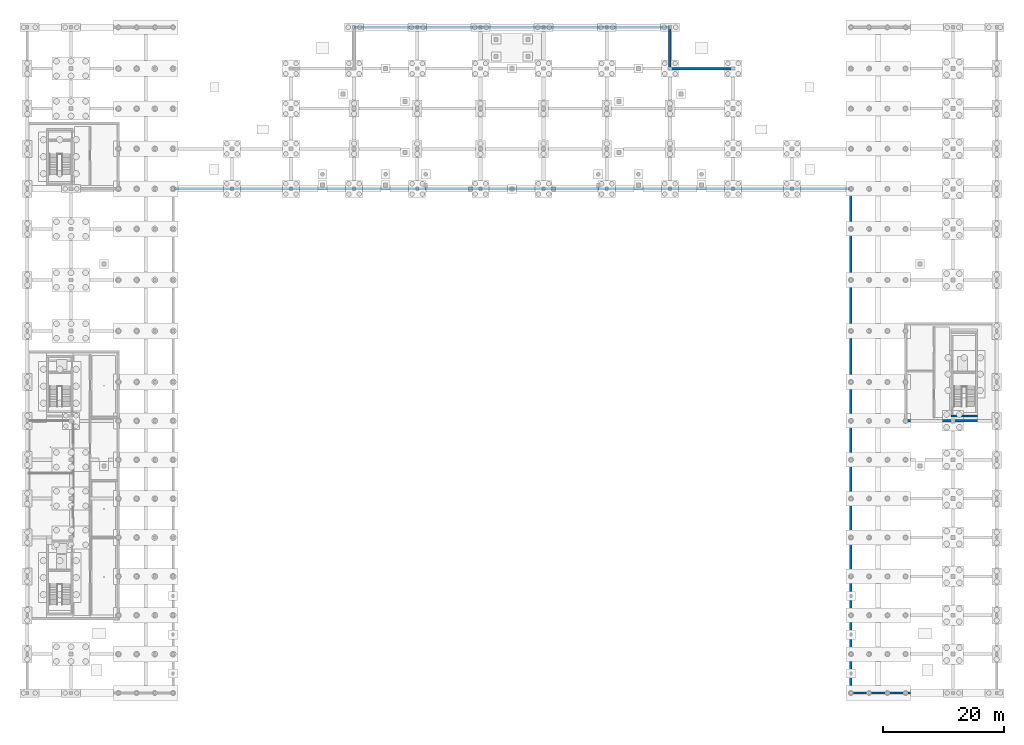
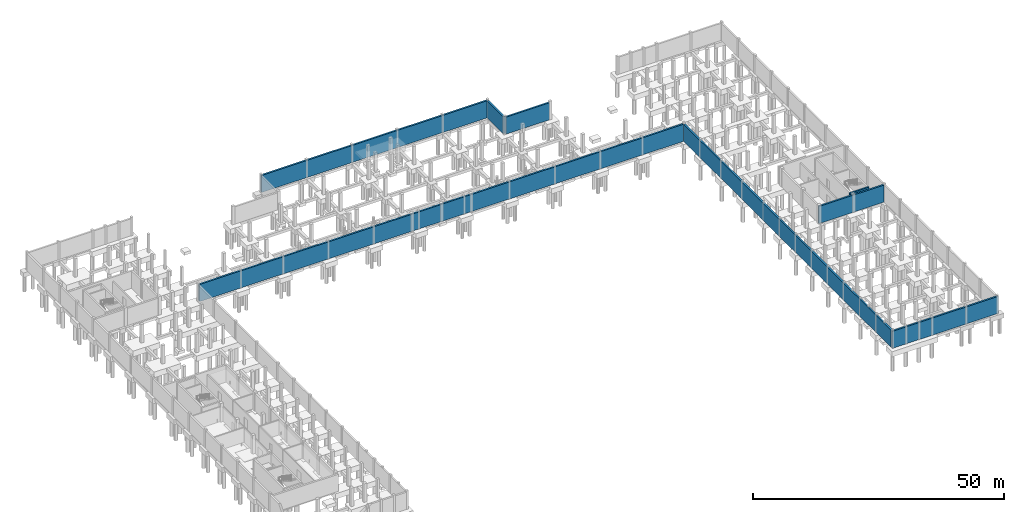
# One storey, part 15 of 21: 8 walls.
"""IFC4 building model written with IfcOpenShell, lengths in metres."""

from ifc_helpers import new_model, si_unit, derived_unit, direction, frame, frame_2d, origin, place, context, subcontext, project, spatial, rectangle, extrude, material, layer, layer_set, type_object, element, save


model = new_model("IFC4")

# Units and contexts
model_context = context("Model", 3, precision=1e-05, world=origin(), true_north=direction((0.0, 1.0)))
body_context = subcontext(model_context, "Body", "Model", "MODEL_VIEW")
ifc_project = project(units=[si_unit("LENGTHUNIT", "METRE"), si_unit("AREAUNIT", "SQUARE_METRE"), si_unit("VOLUMEUNIT", "CUBIC_METRE"), si_unit("PLANEANGLEUNIT", "RADIAN"), si_unit("MASSUNIT", "GRAM", prefix="KILO"), derived_unit("THERMALTRANSMITTANCEUNIT", [(si_unit("POWERUNIT", "WATT"), 1), (si_unit("LENGTHUNIT", "METRE"), -2), (si_unit("THERMODYNAMICTEMPERATUREUNIT", "KELVIN"), -1)])], contexts=[model_context])

# Site, building, storey
site_placement = place(None, origin())
site = spatial("IfcSite", under=ifc_project, at=site_placement, CompositionType="ELEMENT")
building_placement = place(site_placement, origin())
building = spatial("IfcBuilding", under=site, at=building_placement, Name="Braskholm Square Health Centre", CompositionType="ELEMENT")
storey_placement = place(building_placement, frame((0.0, 0.0, -4.5)))
storey = spatial("IfcBuildingStorey", under=building, at=storey_placement, Name="B01", CompositionType="ELEMENT", Elevation=-4.5)

# Walls
ifc_material_1 = material(Name="Concrete C35/45 (f'c = 35 MPa)", Category="concrete")
ifc_layer_1 = layer(ifc_material_1, 0.39990234375)
ifc_layer_set_1 = layer_set([ifc_layer_1], Name="Concrete C35/45 (f'c = 35 MPa)")
wall_type_1 = type_object("IfcWallType", Name="BasementRetainingWall400", PredefinedType="SHEAR", material=ifc_layer_set_1)
wall_1_placement = place(storey_placement, frame((28.39990234375, 87.199951171875, 0.0), z_axis=(0.0, 0.0, 1.0), x_axis=(1.0, 0.0, 0.0)))
element("IfcWall", 1, at=wall_1_placement, inside=storey, type_object=wall_type_1, Name="Substructure perimeter retaining wall BW-COL-N", PredefinedType="SHEAR", context=body_context, shape_type="SweptSolid", body=[
    extrude(rectangle(XDim=111.2001953125, YDim=0.39990234375, at=frame_2d((55.60009765625, 0.0))), origin(), (0.0, 0.0, 1.0), 4.14990234375),
])
wall_2_placement = place(storey_placement, frame((139.800048828125, 87.0, 0.0), z_axis=(0.0, 0.0, 1.0), x_axis=(0.0, -1.0, 0.0)))
element("IfcWall", 2, at=wall_2_placement, inside=storey, type_object=wall_type_1, Name="Substructure perimeter retaining wall BW-COL-E", PredefinedType="SHEAR", context=body_context, shape_type="SweptSolid", body=[
    extrude(rectangle(XDim=82.60009765625, YDim=0.39990234375, at=frame_2d((41.300048828125, 0.0))), origin(), (0.0, 0.0, 1.0), 4.14990234375),
])
wall_3_placement = place(storey_placement, frame((139.60009765625, 4.199951171875, 0.0), z_axis=(0.0, 0.0, 1.0), x_axis=(1.0, 0.0, 0.0)))
element("IfcWall", 3, at=wall_3_placement, inside=storey, type_object=wall_type_1, Name="Substructure perimeter retaining wall BW-PERIM-SE", PredefinedType="SHEAR", context=body_context, shape_type="SweptSolid", body=[
    extrude(rectangle(XDim=24.39990234375, YDim=0.39990234375, at=frame_2d((12.199951171875, 0.0))), origin(), (0.0, 0.0, 1.0), 4.14990234375),
])
wall_4_placement = place(storey_placement, frame((120.199951171875, 107.0, 0.0), z_axis=(0.0, 0.0, 1.0), x_axis=(-1.0, 0.0, 0.0)))
element("IfcWall", 4, at=wall_4_placement, inside=storey, type_object=wall_type_1, Name="Substructure perimeter retaining wall BW-PERIM-NH", PredefinedType="SHEAR", context=body_context, shape_type="SweptSolid", body=[
    extrude(rectangle(XDim=10.0, YDim=0.39990234375, at=frame_2d((5.0, 0.0))), origin(), (0.0, 0.0, 1.0), 4.14990234375),
])
wall_5_placement = place(storey_placement, frame((110.0, 113.800048828125, 0.0), z_axis=(0.0, 0.0, 1.0), x_axis=(-1.0, 0.0, 0.0)))
element("IfcWall", 5, at=wall_5_placement, inside=storey, type_object=wall_type_1, Name="Substructure perimeter retaining wall BW-PERIM-NV3", PredefinedType="SHEAR", context=body_context, shape_type="SweptSolid", body=[
    extrude(rectangle(XDim=52.0, YDim=0.39990234375, at=frame_2d((26.0, 0.0))), origin(), (0.0, 0.0, 1.0), 4.14990234375),
])
wall_6_placement = place(storey_placement, frame((110.0, 107.199951171875, 0.0), z_axis=(0.0, 0.0, 1.0), x_axis=(0.0, 1.0, 0.0)))
element("IfcWall", 6, at=wall_6_placement, inside=storey, type_object=wall_type_1, Name="Substructure perimeter retaining wall BW-PERIM-NV3E", PredefinedType="SHEAR", context=body_context, shape_type="SweptSolid", body=[
    extrude(rectangle(XDim=6.400146484375, YDim=0.39990234375, at=frame_2d((3.2001953125, 0.0))), origin(), (0.0, 0.0, 1.0), 4.14990234375),
])
wall_7_placement = place(storey_placement, frame((148.60009765625, 49.0, 0.0), z_axis=(0.0, 0.0, 1.0), x_axis=(1.0, 0.0, 0.0)))
element("IfcWall", 7, at=wall_7_placement, inside=storey, type_object=wall_type_1, Name="Substructure perimeter retaining wall BW-B01E-S", PredefinedType="SHEAR", context=body_context, shape_type="SweptSolid", body=[
    extrude(rectangle(XDim=15.0, YDim=0.39990234375, at=frame_2d((7.5, 0.0))), origin(), (0.0, 0.0, 1.0), 4.14990234375),
])
ifc_material_2 = material(Name="Concrete C40/50 (f'c = 40 MPa)", Category="concrete")
ifc_layer_2 = layer(ifc_material_2, 0.35009765625)
ifc_layer_set_2 = layer_set([ifc_layer_2], Name="Concrete C40/50 (f'c = 40 MPa)")
wall_type_2 = type_object("IfcWallType", Name="ShearCoreWall350", PredefinedType="SHEAR", material=ifc_layer_set_2)
wall_8_placement = place(storey_placement, frame((156.27490234375, 49.800048828125, 0.0), z_axis=(0.0, 0.0, 1.0), x_axis=(1.0, 0.0, 0.0)))
element("IfcWall", 8, at=wall_8_placement, inside=storey, type_object=wall_type_2, Name="CWALL-K4-B01 south wall", PredefinedType="SHEAR", context=body_context, shape_type="SweptSolid", body=[
    extrude(rectangle(XDim=4.35009765625, YDim=0.35009765625, at=frame_2d((2.175048828125, 0.0))), origin(), (0.0, 0.0, 1.0), 4.199951171875),
])

save(model, "model.ifc")
